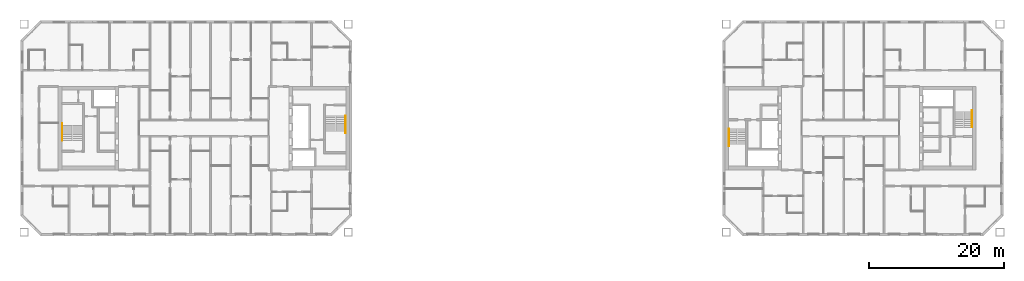
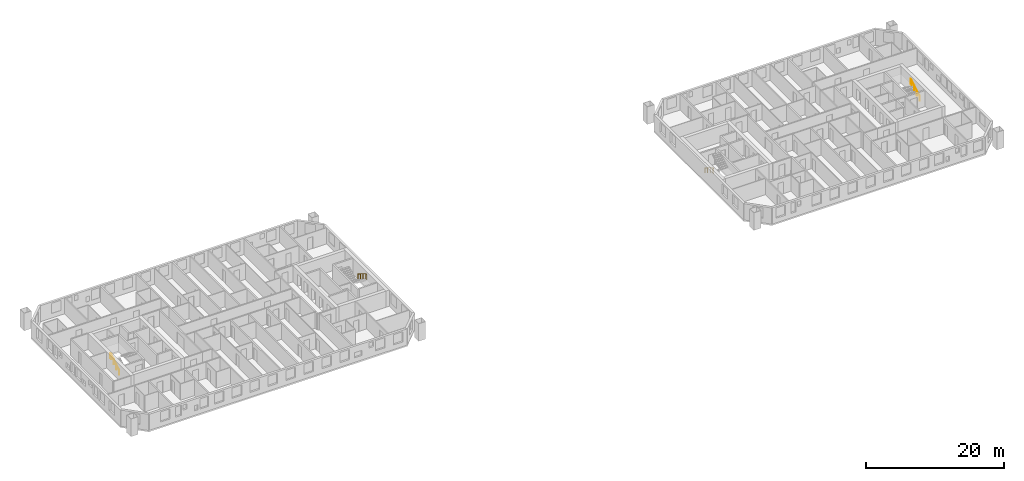
# One storey, part 17 of 17: 4 railings.
"""IFC4 building model written with IfcOpenShell, lengths in metres."""

from ifc_helpers import new_model, si_unit, direction, frame, origin, origin_2d, place, context, subcontext, project, spatial, circle, extrude, material, type_object, element, save


model = new_model("IFC4")

# Units and contexts
model_context = context("Model", 3, precision=1e-05, world=origin(), true_north=direction((0.0, 1.0)))
body_context = subcontext(model_context, "Body", "Model", "MODEL_VIEW")
ifc_project = project(units=[si_unit("LENGTHUNIT", "METRE"), si_unit("AREAUNIT", "SQUARE_METRE"), si_unit("VOLUMEUNIT", "CUBIC_METRE"), si_unit("PLANEANGLEUNIT", "RADIAN"), si_unit("MASSUNIT", "GRAM", prefix="KILO")], contexts=[model_context])

# Site, building, storey
site_placement = place(None, origin())
site = spatial("IfcSite", under=ifc_project, at=site_placement, CompositionType="ELEMENT")
building_placement = place(site_placement, origin())
building = spatial("IfcBuilding", under=site, at=building_placement, Name="Tuart Gate Housing", CompositionType="ELEMENT")
storey_placement = place(building_placement, frame((0.0, 0.0, 126.800048828125)))
storey = spatial("IfcBuildingStorey", under=building, at=storey_placement, Name="L35", CompositionType="ELEMENT", Elevation=126.800048828125)

# Railings
ifc_material = material(Name="Stainless steel", Category="steel")
railing_type = type_object("IfcRailingType", Name="Stair handrail 900", PredefinedType="HANDRAIL", material=ifc_material)
railing_1_placement = place(storey_placement, frame((75.030029296875, 71.824951171875, 0.172119140625)))
element("IfcRailing", 1, at=railing_1_placement, inside=storey, type_object=railing_type, Name="Stair handrail SA1.1", PredefinedType="HANDRAIL", context=body_context, shape_type="SweptSolid", body=[
    extrude(circle(Radius=0.02392578125, at=origin_2d()), frame((0.0, 0.0, 0.8759765625), z_axis=(0.0, -0.851747552033, 0.523952390591), x_axis=(1.0, 0.0, 0.0)), (0.0, 0.0, 1.0), 2.6298828125),
    extrude(circle(Radius=0.02392578125, at=origin_2d()), frame((0.0, -2.239990234375, 2.25390625), z_axis=(0.0, -1.0, 0.0), x_axis=(1.0, 0.0, 0.0)), (0.0, 0.0, 1.0), 0.300048828125),
    extrude(circle(Radius=0.02099609375, at=origin_2d()), origin(), (0.0, 0.0, 1.0), 0.851806640625),
    extrude(circle(Radius=0.02099609375, at=origin_2d()), frame((0.0, -0.74658203125, 0.459228515625)), (0.0, 0.0, 1.0), 0.851806640625),
    extrude(circle(Radius=0.02099609375, at=origin_2d()), frame((0.0, -1.493408203125, 0.918701171875)), (0.0, 0.0, 1.0), 0.851806640625),
    extrude(circle(Radius=0.02099609375, at=origin_2d()), frame((0.0, -2.239990234375, 1.3779296875)), (0.0, 0.0, 1.0), 0.851806640625),
    extrude(circle(Radius=0.02099609375, at=origin_2d()), frame((0.0, -2.5400390625, 1.3779296875)), (0.0, 0.0, 1.0), 0.851806640625),
])
railing_2_placement = place(storey_placement, frame((32.969970703125, 68.175048828125, 0.172119140625)))
element("IfcRailing", 2, at=railing_2_placement, inside=storey, type_object=railing_type, Name="Stair handrail SA2.1", PredefinedType="HANDRAIL", context=body_context, shape_type="SweptSolid", body=[
    extrude(circle(Radius=0.02392578125, at=origin_2d()), frame((0.0, 0.0, 0.8759765625), z_axis=(0.0, 0.851747552033, 0.523952390591), x_axis=(-1.0, 0.0, 0.0)), (0.0, 0.0, 1.0), 2.6298828125),
    extrude(circle(Radius=0.02392578125, at=origin_2d()), frame((0.0, 2.239990234375, 2.25390625), z_axis=(0.0, 1.0, 0.0), x_axis=(-1.0, 0.0, 0.0)), (0.0, 0.0, 1.0), 0.300048828125),
    extrude(circle(Radius=0.02099609375, at=origin_2d()), origin(), (0.0, 0.0, 1.0), 0.851806640625),
    extrude(circle(Radius=0.02099609375, at=origin_2d()), frame((0.0, 0.74658203125, 0.459228515625)), (0.0, 0.0, 1.0), 0.851806640625),
    extrude(circle(Radius=0.02099609375, at=origin_2d()), frame((0.0, 1.493408203125, 0.918701171875)), (0.0, 0.0, 1.0), 0.851806640625),
    extrude(circle(Radius=0.02099609375, at=origin_2d()), frame((0.0, 2.239990234375, 1.3779296875)), (0.0, 0.0, 1.0), 0.851806640625),
    extrude(circle(Radius=0.02099609375, at=origin_2d()), frame((0.0, 2.5400390625, 1.3779296875)), (0.0, 0.0, 1.0), 0.851806640625),
])
railing_3_placement = place(storey_placement, frame((131.969970703125, 69.875, 0.172119140625)))
element("IfcRailing", 3, at=railing_3_placement, inside=storey, type_object=railing_type, Name="Stair handrail SB1.1", PredefinedType="HANDRAIL", context=body_context, shape_type="SweptSolid", body=[
    extrude(circle(Radius=0.02392578125, at=origin_2d()), frame((0.0, 0.0, 0.8759765625), z_axis=(0.0, -0.851747552033, 0.523952390591), x_axis=(1.0, 0.0, 0.0)), (0.0, 0.0, 1.0), 2.6298828125),
    extrude(circle(Radius=0.02392578125, at=origin_2d()), frame((0.0, -2.239990234375, 2.25390625), z_axis=(0.0, -1.0, 0.0), x_axis=(1.0, 0.0, 0.0)), (0.0, 0.0, 1.0), 0.300048828125),
    extrude(circle(Radius=0.02099609375, at=origin_2d()), origin(), (0.0, 0.0, 1.0), 0.851806640625),
    extrude(circle(Radius=0.02099609375, at=origin_2d()), frame((0.0, -0.74658203125, 0.459228515625)), (0.0, 0.0, 1.0), 0.851806640625),
    extrude(circle(Radius=0.02099609375, at=origin_2d()), frame((0.0, -1.493408203125, 0.918701171875)), (0.0, 0.0, 1.0), 0.851806640625),
    extrude(circle(Radius=0.02099609375, at=origin_2d()), frame((0.0, -2.239990234375, 1.3779296875)), (0.0, 0.0, 1.0), 0.851806640625),
    extrude(circle(Radius=0.02099609375, at=origin_2d()), frame((0.0, -2.5400390625, 1.3779296875)), (0.0, 0.0, 1.0), 0.851806640625),
])
railing_4_placement = place(storey_placement, frame((168.030029296875, 70.125, 0.172119140625)))
element("IfcRailing", 4, at=railing_4_placement, inside=storey, type_object=railing_type, Name="Stair handrail SB2.1", PredefinedType="HANDRAIL", context=body_context, shape_type="SweptSolid", body=[
    extrude(circle(Radius=0.02392578125, at=origin_2d()), frame((0.0, 0.0, 0.8759765625), z_axis=(0.0, 0.851747552033, 0.523952390591), x_axis=(-1.0, 0.0, 0.0)), (0.0, 0.0, 1.0), 2.6298828125),
    extrude(circle(Radius=0.02392578125, at=origin_2d()), frame((0.0, 2.239990234375, 2.25390625), z_axis=(0.0, 1.0, 0.0), x_axis=(-1.0, 0.0, 0.0)), (0.0, 0.0, 1.0), 0.300048828125),
    extrude(circle(Radius=0.02099609375, at=origin_2d()), origin(), (0.0, 0.0, 1.0), 0.851806640625),
    extrude(circle(Radius=0.02099609375, at=origin_2d()), frame((0.0, 0.74658203125, 0.459228515625)), (0.0, 0.0, 1.0), 0.851806640625),
    extrude(circle(Radius=0.02099609375, at=origin_2d()), frame((0.0, 1.493408203125, 0.918701171875)), (0.0, 0.0, 1.0), 0.851806640625),
    extrude(circle(Radius=0.02099609375, at=origin_2d()), frame((0.0, 2.239990234375, 1.3779296875)), (0.0, 0.0, 1.0), 0.851806640625),
    extrude(circle(Radius=0.02099609375, at=origin_2d()), frame((0.0, 2.5400390625, 1.3779296875)), (0.0, 0.0, 1.0), 0.851806640625),
])

save(model, "model.ifc")
